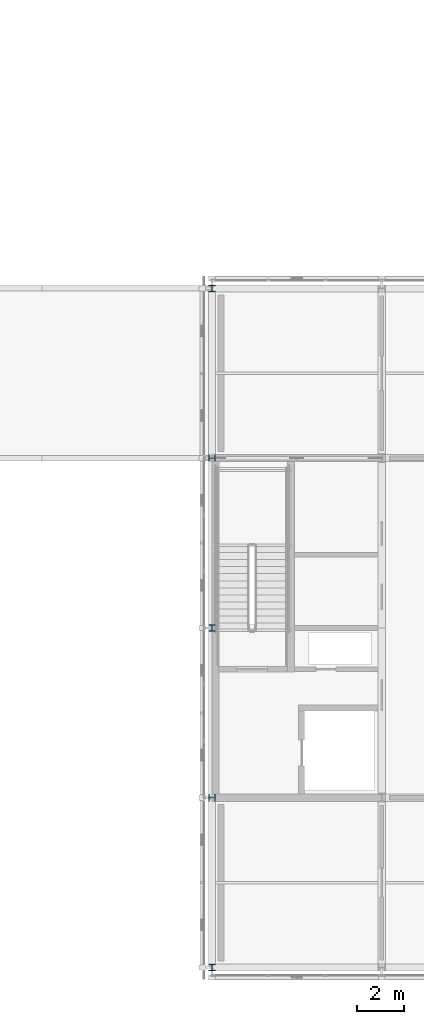
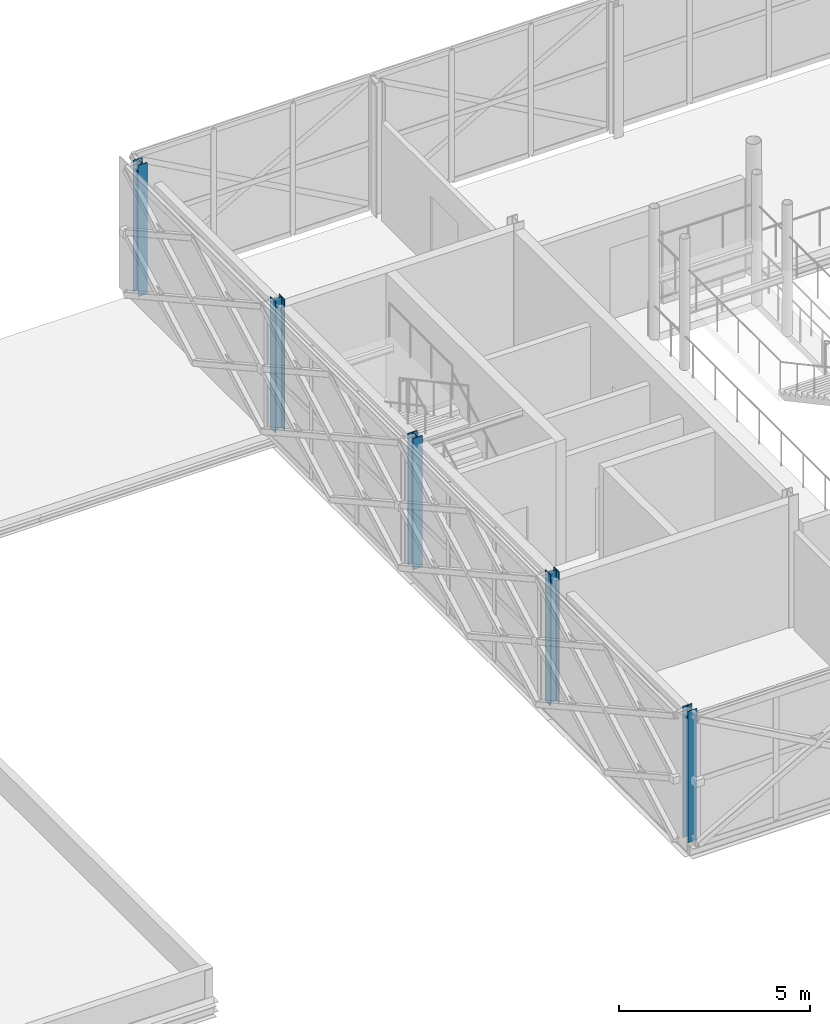
# One storey, part 2 of 103: 5 columns.
"""IFC4 building model written with IfcOpenShell, lengths in metres."""

import ifcopenshell
import ifcopenshell.guid

model = None  # the IFC model being written
_history = None  # IfcOwnerHistory: only IFC2X3 demands one
_inside = {}  # id of a spatial element -> (the spatial element, [elements in it])
_under = {}  # id of a project, library or spatial element -> (it, [spatial elements below it])
_declared = {}  # id of a project -> (the project, [libraries it declares])
_typed = {}  # id of a type object -> (the type object, [elements of that type])
_made_of = {}  # id of a material, layer set ... -> (it, [elements and type objects made of it])


def new_model(schema):
    """Start an empty IFC model of exactly this schema.

    Asked for "IFC4X3", IfcOpenShell would pick the latest addendum, in which some entities
    have other attributes; the version numbers below select the first issue.
    IFC2X3 requires an IfcOwnerHistory on every rooted entity: one is made here for all.
    """
    global model, _history
    if schema == "IFC4X3":
        model = ifcopenshell.file(schema_version=(4, 3, 0, 0))
    else:
        model = ifcopenshell.file(schema=schema)
    _inside.clear()
    _under.clear()
    _declared.clear()
    _typed.clear()
    _made_of.clear()
    _history = None
    if model.schema == "IFC2X3":
        org = make("IfcOrganization", Name="unknown")
        user = make(
            "IfcPersonAndOrganization",
            ThePerson=make("IfcPerson", FamilyName="unknown"),
            TheOrganization=org,
        )
        app = make(
            "IfcApplication",
            ApplicationDeveloper=org,
            Version="unknown",
            ApplicationFullName="unknown",
            ApplicationIdentifier="unknown",
        )
        _history = make(
            "IfcOwnerHistory",
            OwningUser=user,
            OwningApplication=app,
            ChangeAction="ADDED",
            CreationDate=0,
        )
    return model


def make(cls, **values):
    """One entity of the class cls with the attributes given. An attribute that is None is left unset."""
    return model.create_entity(
        cls, **{name: value for name, value in values.items() if value is not None}
    )


def rooted(cls, **values):
    """An entity with a GlobalId (a new one), such as an element, a storey or a relation."""
    return make(cls, GlobalId=ifcopenshell.guid.new(), OwnerHistory=_history, **values)


def si_unit(unit_type, name, prefix=None):
    """IfcSIUnit, for example si_unit("LENGTHUNIT", "METRE", prefix="MILLI")."""
    return make("IfcSIUnit", UnitType=unit_type, Prefix=prefix, Name=name)


def assignment(units):
    """IfcUnitAssignment: the units of a project."""
    return None if units is None else make("IfcUnitAssignment", Units=units)


def point(xyz):
    """IfcCartesianPoint."""
    return None if xyz is None else make("IfcCartesianPoint", Coordinates=xyz)


def direction(xyz):
    """IfcDirection."""
    return None if xyz is None else make("IfcDirection", DirectionRatios=xyz)


def frame(location, z_axis=None, x_axis=None):
    """IfcAxis2Placement3D, a coordinate frame: its origin and axes. An axis left out is left unset."""
    return make(
        "IfcAxis2Placement3D",
        Location=point(location),
        Axis=direction(z_axis),
        RefDirection=direction(x_axis),
    )


def frame_2d(location, x_axis=None):
    """IfcAxis2Placement2D, a coordinate frame in the plane: its origin and x axis."""
    return make(
        "IfcAxis2Placement2D", Location=point(location), RefDirection=direction(x_axis)
    )


def origin():
    """The frame at (0, 0, 0) with its axes left unset."""
    return frame((0.0, 0.0, 0.0))


def origin_2d():
    """The frame at (0, 0) in the plane with its x axis left unset."""
    return frame_2d((0.0, 0.0))


def place(relative_to, where):
    """IfcLocalPlacement: puts the frame where relative to a parent placement (None: the world)."""
    return make(
        "IfcLocalPlacement", PlacementRelTo=relative_to, RelativePlacement=where
    )


def context(
    kind, dimensions, precision=None, world=None, true_north=None, identifier=None
):
    """IfcGeometricRepresentationContext, for example the 3D "Model" context."""
    return make(
        "IfcGeometricRepresentationContext",
        ContextIdentifier=identifier,
        ContextType=kind,
        CoordinateSpaceDimension=dimensions,
        Precision=precision,
        WorldCoordinateSystem=world,
        TrueNorth=true_north,
    )


def subcontext(parent, identifier, kind, view, scale=None):
    """IfcGeometricRepresentationSubContext, for example "Body" below "Model"."""
    return make(
        "IfcGeometricRepresentationSubContext",
        ContextIdentifier=identifier,
        ContextType=kind,
        ParentContext=parent,
        TargetScale=scale,
        TargetView=view,
    )


def project(units=None, contexts=None):
    """IfcProject with its units and contexts."""
    return rooted(
        "IfcProject",
        Name="project",
        RepresentationContexts=contexts,
        UnitsInContext=assignment(units),
    )


def spatial(cls, under=None, at=None, **own):
    """A site, building, storey or space (cls), placed at a placement, below another one or the project."""
    s = rooted(cls, ObjectPlacement=at, **own)
    if under is not None:
        _under.setdefault(under.id(), (under, []))[1].append(s)
    return s


def profile(cls, at=None, kind="AREA", **sizes):
    """A parametric profile (cls). Its sizes go by their IFC names, for example OverallWidth=200.0."""
    return make(cls, ProfileType=kind, Position=at, **sizes)


def i_section(**sizes):
    """IfcIShapeProfileDef."""
    return profile("IfcIShapeProfileDef", **sizes)


def extrude(swept, where, along, depth):
    """IfcExtrudedAreaSolid: the profile swept, set in the frame where, extruded along a direction by depth."""
    return make(
        "IfcExtrudedAreaSolid",
        SweptArea=swept,
        Position=where,
        ExtrudedDirection=direction(along),
        Depth=depth,
    )


def shape(context_of_items, identifier, shape_type, items):
    """IfcShapeRepresentation: the items that make up one representation, for example the "Body"."""
    return make(
        "IfcShapeRepresentation",
        ContextOfItems=context_of_items,
        RepresentationIdentifier=identifier,
        RepresentationType=shape_type,
        Items=items,
    )


def material(Name=None, Category=None):
    """IfcMaterial."""
    return make("IfcMaterial", Name=Name, Category=Category)


def material_profile(
    of_material, cross_section, Name=None, Category=None, Priority=None
):
    """IfcMaterialProfile: a cross section and its material."""
    return make(
        "IfcMaterialProfile",
        Name=Name,
        Material=of_material,
        Profile=cross_section,
        Priority=Priority,
        Category=Category,
    )


def profile_set(profiles, Name=None, composite=None):
    """IfcMaterialProfileSet."""
    return make(
        "IfcMaterialProfileSet",
        Name=Name,
        MaterialProfiles=profiles,
        CompositeProfile=composite,
    )


def made_of(thing, what):
    """Note that an element or type object is made of a material, layer set ...; save() writes the relation."""
    if what is not None:
        _made_of.setdefault(what.id(), (what, []))[1].append(thing)
    return thing


def type_object(cls, material=None, **own):
    """A type object (cls), such as IfcWallType, which elements share."""
    return made_of(rooted(cls, **own), material)


def element(
    cls,
    number,
    at=None,
    inside=None,
    cuts=None,
    type_object=None,
    material=None,
    context=None,
    identifier="Body",
    shape_type=None,
    held_by="IfcProductDefinitionShape",
    body=None,
    shapes=None,
    **own,
):
    """One element of the class cls, such as IfcWall. Its Tag is "e" and its number.

    at: its placement. inside: the storey or other place that contains it. cuts: it is an
    opening in that element (IfcRelVoidsElement). A single representation is given by context,
    identifier, shape_type and body (its items); several are given by shapes. held_by: the class
    of the entity that holds the representations. save() writes the other relations.
    """
    e = rooted(cls, Tag="e%d" % number, ObjectPlacement=at, **own)
    if body is not None:
        shapes = [shape(context, identifier, shape_type, body)]
    if shapes is not None:
        e.Representation = make(held_by, Representations=shapes)
    if inside is not None:
        _inside.setdefault(inside.id(), (inside, []))[1].append(e)
    if cuts is not None:
        rooted(
            "IfcRelVoidsElement", RelatingBuildingElement=cuts, RelatedOpeningElement=e
        )
    if type_object is not None:
        _typed.setdefault(type_object.id(), (type_object, []))[1].append(e)
    return made_of(e, material)


def aggregate(whole, parts):
    """IfcRelAggregates: a whole, such as a stair, and the parts it consists of."""
    return rooted("IfcRelAggregates", RelatingObject=whole, RelatedObjects=parts)


def save(model, path):
    """Write the relations noted so far, then the file.

    IfcRelAggregates (storeys below a building ...), IfcRelContainedInSpatialStructure (elements
    in a storey), IfcRelDefinesByType, IfcRelAssociatesMaterial and IfcRelDeclares: one each for
    every whole, place, type object, material and project.
    """
    for whole, parts in _under.values():
        aggregate(whole, parts)
    for where, things in _inside.values():
        rooted(
            "IfcRelContainedInSpatialStructure",
            RelatedElements=things,
            RelatingStructure=where,
        )
    for kind, things in _typed.values():
        rooted("IfcRelDefinesByType", RelatedObjects=things, RelatingType=kind)
    for what, things in _made_of.values():
        rooted("IfcRelAssociatesMaterial", RelatedObjects=things, RelatingMaterial=what)
    for by, libraries in _declared.values():
        rooted("IfcRelDeclares", RelatingContext=by, RelatedDefinitions=libraries)
    model.write(path)


model = new_model("IFC4")

# Units and contexts
model_context = context("Model", 3, precision=1e-05, world=origin(), true_north=direction((0.0, 1.0)))
body_context = subcontext(model_context, "Body", "Model", "MODEL_VIEW")
ifc_project = project(units=[si_unit("LENGTHUNIT", "METRE"), si_unit("AREAUNIT", "SQUARE_METRE"), si_unit("VOLUMEUNIT", "CUBIC_METRE"), si_unit("PLANEANGLEUNIT", "RADIAN"), si_unit("MASSUNIT", "GRAM", prefix="KILO")], contexts=[model_context])

# Site, building, storey
site_placement = place(None, origin())
site = spatial("IfcSite", under=ifc_project, at=site_placement, CompositionType="ELEMENT")
building_placement = place(site_placement, origin())
building = spatial("IfcBuilding", under=site, at=building_placement, Name="Zlatovets Crest Museum", CompositionType="ELEMENT")
storey_placement = place(building_placement, frame((0.0, 0.0, 12.89990234375)))
storey = spatial("IfcBuildingStorey", under=building, at=storey_placement, Name="L03", CompositionType="ELEMENT", Elevation=12.89990234375)

# Columns
ifc_material = material(Name="Structural steel S355J2", Category="steel")
ifc_material_profile = material_profile(ifc_material, i_section(OverallWidth=0.280029296875, OverallDepth=0.280029296875, WebThickness=0.010498046875, FlangeThickness=0.01806640625, FilletRadius=0.02392578125, at=origin_2d()), Name="HEB 280")
ifc_profile_set = profile_set([ifc_material_profile], Name="Structural steel S355J2")
column_type = type_object("IfcColumnType", Name="Col_C-17", PredefinedType="COLUMN", material=ifc_profile_set)
for number, where, z_axis, x_axis, name in (
    (1, (57.60009765625, 0.0, 0.0), (0.0, 0.0, 1.0), (1.0, 0.0, 0.0), "V2 L03 Column (57.6, 0.0)"),
    (2, (57.60009765625, 7.199951171875, 0.0), (0.0, 0.0, 1.0), (0.0, 1.0, 0.0), "V2 L03 Column (57.6, 7.2)"),
    (3, (57.60009765625, 14.39990234375, 0.0), (0.0, 0.0, 1.0), (1.0, 0.0, 0.0), "V2 L03 Column (57.6, 14.4)"),
    (4, (57.60009765625, 21.60009765625, 0.0), (0.0, 0.0, 1.0), (0.0, 1.0, 0.0), "V2 L03 Column (57.6, 21.6)"),
    (5, (57.60009765625, 28.800048828125, 0.0), (0.0, 0.0, 1.0), (1.0, 0.0, 0.0), "V2 L03 Column (57.6, 28.8)"),
):
    element("IfcColumn", number, at=place(storey_placement, frame(where, z_axis=z_axis, x_axis=x_axis)), inside=storey, type_object=column_type, Name=name, PredefinedType="COLUMN", context=body_context, shape_type="SweptSolid", body=[
        extrude(i_section(OverallWidth=0.280029296875, OverallDepth=0.280029296875, WebThickness=0.010498046875, FlangeThickness=0.01806640625, FilletRadius=0.02392578125, at=origin_2d()), origin(), (0.0, 0.0, 1.0), 4.2001953125),
    ])

save(model, "model.ifc")
